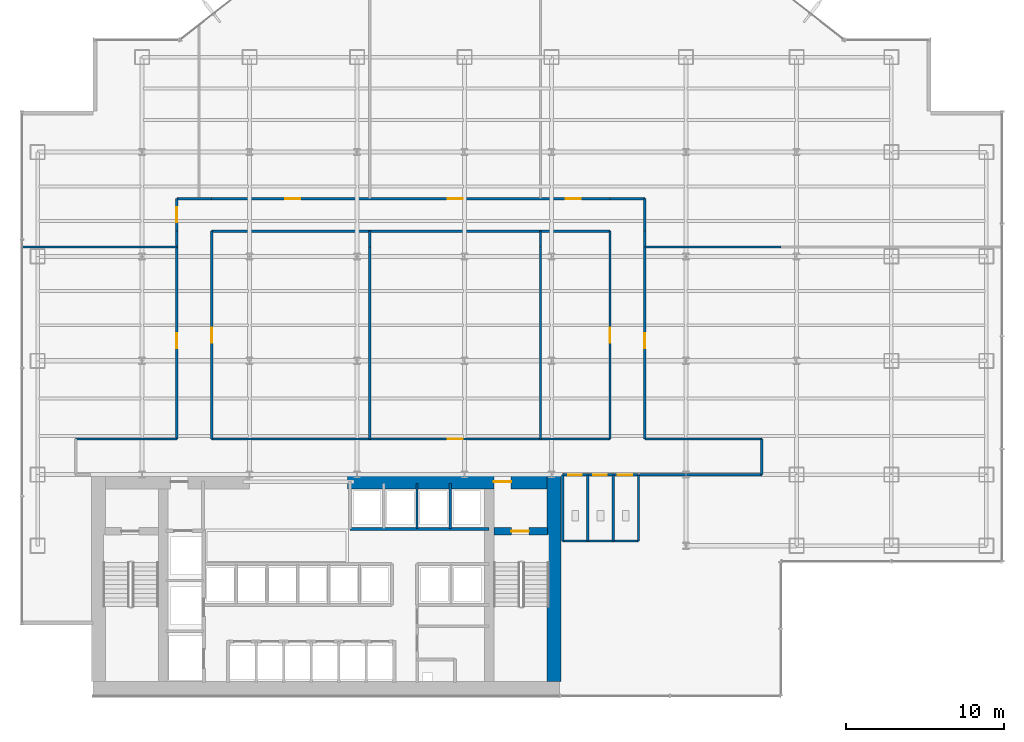
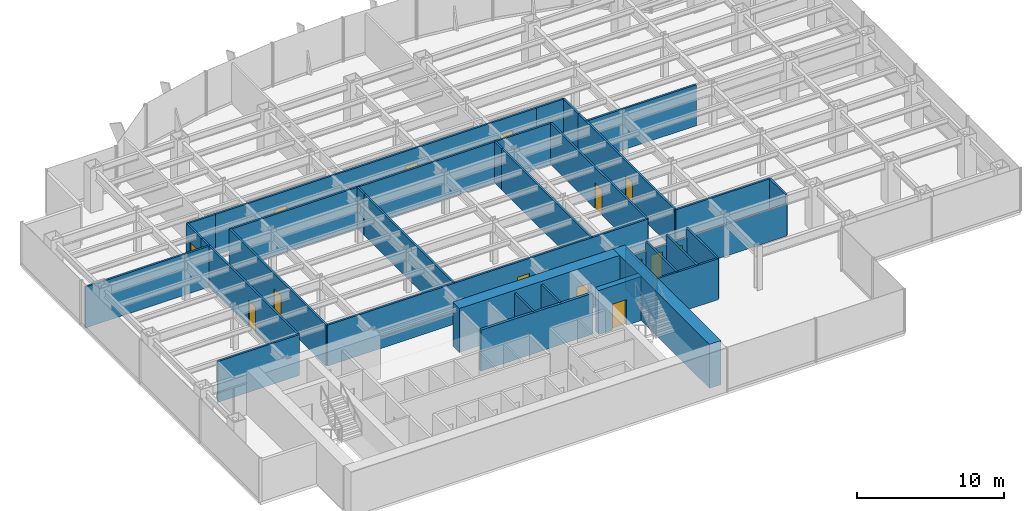
# One storey, part 18 of 22: 33 walls, 14 doors, 14 openings.
"""IFC4 building model written with IfcOpenShell, lengths in metres."""

from ifc_helpers import new_model, si_unit, derived_unit, direction, frame, frame_2d, origin, place, context, subcontext, project, spatial, rectangle, extrude, source, transform, mapped, material, layer, layer_set, type_object, element, fill, save


model = new_model("IFC4")

# Units and contexts
model_context = context("Model", 3, precision=1e-05, world=origin(), true_north=direction((0.0, 1.0)))
body_context = subcontext(model_context, "Body", "Model", "MODEL_VIEW")
ifc_project = project(units=[si_unit("LENGTHUNIT", "METRE"), si_unit("AREAUNIT", "SQUARE_METRE"), si_unit("VOLUMEUNIT", "CUBIC_METRE"), si_unit("PLANEANGLEUNIT", "RADIAN"), si_unit("MASSUNIT", "GRAM", prefix="KILO"), derived_unit("THERMALTRANSMITTANCEUNIT", [(si_unit("POWERUNIT", "WATT"), 1), (si_unit("LENGTHUNIT", "METRE"), -2), (si_unit("THERMODYNAMICTEMPERATUREUNIT", "KELVIN"), -1)])], contexts=[model_context])

# Site, building, storey
site_placement = place(None, origin())
site = spatial("IfcSite", under=ifc_project, at=site_placement, CompositionType="ELEMENT")
building_placement = place(site_placement, origin())
building = spatial("IfcBuilding", under=site, at=building_placement, Name="Skarnbrae Concourse Arena and Tower", CompositionType="ELEMENT")
storey_placement = place(building_placement, frame((0.0, 0.0, 72.64990234375)))
storey = spatial("IfcBuildingStorey", under=building, at=storey_placement, Name="L17", CompositionType="ELEMENT", Elevation=72.64990234375)

# Wall
ifc_material_1 = material(Name="Concrete 70 MPa (C70/85)", Category="concrete")
ifc_layer_1 = layer(ifc_material_1, 0.89990234375)
ifc_layer_set_1 = layer_set([ifc_layer_1], Name="Concrete 70 MPa (C70/85)")
wall_type_1 = type_object("IfcWallType", Name="WALL-CORE-900-C70", PredefinedType="SHEAR", material=ifc_layer_set_1)
shared_shape_1 = source(origin(), body_context, "Body", "SweptSolid", [
    extrude(rectangle(XDim=13.10009765625, YDim=0.89990234375, at=frame_2d((6.550048828125, 0.0))), origin(), (0.0, 0.0, 1.0), 3.650146484375),
])
wall_1_placement = place(storey_placement, frame((33.64990234375, 0.89990234375, 0.0), z_axis=(0.0, 0.0, 1.0), x_axis=(0.0, 1.0, 0.0)))
element("IfcWall", 1, at=wall_1_placement, inside=storey, type_object=wall_type_1, Name="L17 Rear core shear wall CW-E", PredefinedType="SHEAR", context=body_context, shape_type="MappedRepresentation", body=[
    mapped(shared_shape_1, transform((0.0, 0.0, 0.0))),
])

# Wall, opening, door
shared_shape_2 = source(origin(), body_context, "Body", "SweptSolid", [
    extrude(rectangle(XDim=12.599853515625, YDim=0.89990234375, at=frame_2d((6.2998046875, 0.0))), origin(), (0.0, 0.0, 1.0), 3.650146484375),
])
wall_2_placement = place(storey_placement, frame((20.60009765625, 13.550048828125, 0.0), z_axis=(0.0, 0.0, 1.0), x_axis=(1.0, 0.0, 0.0)))
wall_2 = element("IfcWall", 2, at=wall_2_placement, inside=storey, type_object=wall_type_1, Name="L17 Rear core shear wall CW-NE", PredefinedType="SHEAR", context=body_context, shape_type="MappedRepresentation", body=[
    mapped(shared_shape_2, transform((0.0, 0.0, 0.0))),
])
opening_1_placement = place(wall_2_placement, frame((9.25, 0.0, 0.0)))
opening_1 = element("IfcOpeningElement", 3, at=opening_1_placement, cuts=wall_2, Name="Opening DT-03", PredefinedType="OPENING", context=body_context, shape_type="SweptSolid", body=[
    extrude(rectangle(XDim=1.10009765625, YDim=2.14990234375, at=frame_2d((0.550048828125, 1.074951171875))), frame((0.0, 0.4599609375, 0.0), z_axis=(0.0, -1.0, 0.0), x_axis=(1.0, 0.0, 0.0)), (0.0, 0.0, 1.0), 0.919921875),
])
ifc_material_2 = material(Name="Steel CSA G40.21 350W", Category="steel")
door_type_1 = type_object("IfcDoorType", Name="DOOR-FIRE-1100-90M", OperationType="NOTDEFINED", PredefinedType="DOOR", material=ifc_material_2)
shared_shape_3 = source(origin(), body_context, "Body", "SweptSolid", [
    extrude(rectangle(XDim=1.10009765625, YDim=2.14990234375, at=frame_2d((0.550048828125, 1.074951171875))), frame((0.0, 0.02490234375, 0.0), z_axis=(0.0, -1.0, 0.0), x_axis=(1.0, 0.0, 0.0)), (0.0, 0.0, 1.0), 0.050048828125),
])
door_1_placement = place(opening_1_placement, origin())
door_1 = element("IfcDoor", 4, at=door_1_placement, inside=storey, type_object=door_type_1, Name="D-0634 Stair ST-2 Vestibule Door", OperationType="SINGLE_SWING_LEFT", OverallHeight=2.14990234375, OverallWidth=1.10009765625, PredefinedType="DOOR", context=body_context, shape_type="MappedRepresentation", body=[
    mapped(shared_shape_3, transform((0.0, 0.0, 0.0))),
])
fill(opening_1, door_1)

ifc_material_3 = material(Name="Concrete 50 MPa (C50/60)", Category="concrete")
ifc_layer_2 = layer(ifc_material_3, 0.449951171875)
ifc_layer_set_2 = layer_set([ifc_layer_2], Name="Concrete 50 MPa (C50/60)")
wall_type_2 = type_object("IfcWallType", Name="WALL-CORE-450-C50", PredefinedType="SHEAR", material=ifc_layer_set_2)
shared_shape_4 = source(origin(), body_context, "Body", "SweptSolid", [
    extrude(rectangle(XDim=3.389892578125, YDim=0.449951171875, at=frame_2d((1.69482421875, 0.0))), origin(), (0.0, 0.0, 1.0), 3.650146484375),
])
wall_3_placement = place(storey_placement, frame((29.860107421875, 10.419921875, 0.0), z_axis=(0.0, 0.0, 1.0), x_axis=(1.0, 0.0, 0.0)))
wall_3 = element("IfcWall", 5, at=wall_3_placement, inside=storey, type_object=wall_type_2, Name="L17 Rear core shear wall CW-ST2-N", PredefinedType="SHEAR", context=body_context, shape_type="MappedRepresentation", body=[
    mapped(shared_shape_4, transform((0.0, 0.0, 0.0))),
])
opening_2_placement = place(wall_3_placement, frame((1.10009765625, 0.0, 0.0)))
opening_2 = element("IfcOpeningElement", 6, at=opening_2_placement, cuts=wall_3, Name="Opening DT-03", PredefinedType="OPENING", context=body_context, shape_type="SweptSolid", body=[
    extrude(rectangle(XDim=1.10009765625, YDim=2.14990234375, at=frame_2d((0.550048828125, 1.074951171875))), frame((0.0, 0.23486328125, 0.0), z_axis=(0.0, -1.0, 0.0), x_axis=(1.0, 0.0, 0.0)), (0.0, 0.0, 1.0), 0.469970703125),
])
door_2_placement = place(opening_2_placement, frame((1.10009765625, 0.0, 0.0), z_axis=(0.0, 0.0, 1.0), x_axis=(-1.0, 0.0, 0.0)))
door_2 = element("IfcDoor", 7, at=door_2_placement, inside=storey, type_object=door_type_1, Name="D-0632 Stair ST-2 Door", OperationType="SINGLE_SWING_RIGHT", OverallHeight=2.14990234375, OverallWidth=1.10009765625, PredefinedType="DOOR", context=body_context, shape_type="MappedRepresentation", body=[
    mapped(shared_shape_3, transform((0.0, 0.0, 0.0))),
])
fill(opening_2, door_2)

# Wall, openings, doors
ifc_material_4 = material(Name="Gypsum board on cold-formed steel studs", Category="steel")
ifc_layer_3 = layer(ifc_material_4, 0.14990234375)
ifc_layer_set_3 = layer_set([ifc_layer_3], Name="Gypsum board on cold-formed steel studs")
wall_type_3 = type_object("IfcWallType", Name="WALL-PART-150", PredefinedType="PARTITIONING", material=ifc_layer_set_3)
shared_shape_5 = source(origin(), body_context, "Body", "SweptSolid", [
    extrude(rectangle(XDim=4.800048828125, YDim=0.14990234375, at=frame_2d((2.39990234375, 0.0))), origin(), (0.0, 0.0, 1.0), 2.625),
])
wall_4_placement = place(storey_placement, frame((34.199951171875, 13.97998046875, 0.0), z_axis=(0.0, 0.0, 1.0), x_axis=(1.0, 0.0, 0.0)))
wall_4 = element("IfcWall", 8, at=wall_4_placement, inside=storey, type_object=wall_type_3, Name="L17 Interior partition wall W-L17-WC-N", PredefinedType="PARTITIONING", context=body_context, shape_type="MappedRepresentation", body=[
    mapped(shared_shape_5, transform((0.0, 0.0, 0.0))),
])
opening_3_placement = place(wall_4_placement, frame((0.35009765625, 0.0, 0.0)))
opening_3 = element("IfcOpeningElement", 9, at=opening_3_placement, cuts=wall_4, Name="Opening DT-06", PredefinedType="OPENING", context=body_context, shape_type="SweptSolid", body=[
    extrude(rectangle(XDim=0.85009765625, YDim=2.10009765625, at=frame_2d((0.425048828125, 1.050048828125))), frame((0.0, 0.0849609375, 0.0), z_axis=(0.0, -1.0, 0.0), x_axis=(1.0, 0.0, 0.0)), (0.0, 0.0, 1.0), 0.169921875),
])
opening_4_placement = place(wall_4_placement, frame((1.949951171875, 0.0, 0.0)))
opening_4 = element("IfcOpeningElement", 10, at=opening_4_placement, cuts=wall_4, Name="Opening DT-06", PredefinedType="OPENING", context=body_context, shape_type="SweptSolid", body=[
    extrude(rectangle(XDim=0.85009765625, YDim=2.10009765625, at=frame_2d((0.425048828125, 1.050048828125))), frame((0.0, 0.0849609375, 0.0), z_axis=(0.0, -1.0, 0.0), x_axis=(1.0, 0.0, 0.0)), (0.0, 0.0, 1.0), 0.169921875),
])
opening_5_placement = place(wall_4_placement, frame((3.5, 0.0, 0.0)))
opening_5 = element("IfcOpeningElement", 11, at=opening_5_placement, cuts=wall_4, Name="Opening DT-05", PredefinedType="OPENING", context=body_context, shape_type="SweptSolid", body=[
    extrude(rectangle(XDim=0.89990234375, YDim=2.10009765625, at=frame_2d((0.449951171875, 1.050048828125))), frame((0.0, 0.0849609375, 0.0), z_axis=(0.0, -1.0, 0.0), x_axis=(1.0, 0.0, 0.0)), (0.0, 0.0, 1.0), 0.169921875),
])
ifc_material_5 = material(Name="Architectural oak veneer timber leaf", Category="wood")
door_type_2 = type_object("IfcDoorType", Name="DOOR-INT-850", OperationType="NOTDEFINED", PredefinedType="DOOR", material=ifc_material_5)
shared_shape_6 = source(origin(), body_context, "Body", "SweptSolid", [
    extrude(rectangle(XDim=0.85009765625, YDim=2.10009765625, at=frame_2d((0.425048828125, 1.050048828125))), frame((0.0, 0.02490234375, 0.0), z_axis=(0.0, -1.0, 0.0), x_axis=(1.0, 0.0, 0.0)), (0.0, 0.0, 1.0), 0.050048828125),
])
door_3_placement = place(opening_3_placement, frame((0.85009765625, 0.0, 0.0), z_axis=(0.0, 0.0, 1.0), x_axis=(-1.0, 0.0, 0.0)))
door_3 = element("IfcDoor", 12, at=door_3_placement, inside=storey, type_object=door_type_2, Name="D-0646 Male Washroom Door", OperationType="SINGLE_SWING_LEFT", OverallHeight=2.10009765625, OverallWidth=0.85009765625, PredefinedType="DOOR", context=body_context, shape_type="MappedRepresentation", body=[
    mapped(shared_shape_6, transform((0.0, 0.0, 0.0))),
])
fill(opening_3, door_3)
door_4_placement = place(opening_4_placement, frame((0.85009765625, 0.0, 0.0), z_axis=(0.0, 0.0, 1.0), x_axis=(-1.0, 0.0, 0.0)))
door_4 = element("IfcDoor", 13, at=door_4_placement, inside=storey, type_object=door_type_2, Name="D-0647 Female Washroom Door", OperationType="SINGLE_SWING_RIGHT", OverallHeight=2.10009765625, OverallWidth=0.85009765625, PredefinedType="DOOR", context=body_context, shape_type="MappedRepresentation", body=[
    mapped(shared_shape_6, transform((0.0, 0.0, 0.0))),
])
fill(opening_4, door_4)
door_type_3 = type_object("IfcDoorType", Name="DOOR-INT-900", OperationType="NOTDEFINED", PredefinedType="DOOR", material=ifc_material_5)
shared_shape_7 = source(origin(), body_context, "Body", "SweptSolid", [
    extrude(rectangle(XDim=0.89990234375, YDim=2.10009765625, at=frame_2d((0.449951171875, 1.050048828125))), frame((0.0, 0.02490234375, 0.0), z_axis=(0.0, -1.0, 0.0), x_axis=(1.0, 0.0, 0.0)), (0.0, 0.0, 1.0), 0.050048828125),
])
door_5_placement = place(opening_5_placement, frame((0.89990234375, 0.0, 0.0), z_axis=(0.0, 0.0, 1.0), x_axis=(-1.0, 0.0, 0.0)))
door_5 = element("IfcDoor", 14, at=door_5_placement, inside=storey, type_object=door_type_3, Name="D-0648 Accessible WC Door", OperationType="SINGLE_SWING_LEFT", OverallHeight=2.10009765625, OverallWidth=0.89990234375, PredefinedType="DOOR", context=body_context, shape_type="MappedRepresentation", body=[
    mapped(shared_shape_7, transform((0.0, 0.0, 0.0))),
])
fill(opening_5, door_5)

# Walls
ifc_layer_4 = layer(ifc_material_4, 0.14990234375)
ifc_layer_set_4 = layer_set([ifc_layer_4], Name="Gypsum board on cold-formed steel studs")
wall_type_4 = type_object("IfcWallType", Name="WALL-PART-150-1HR", PredefinedType="PARTITIONING", material=ifc_layer_set_4)
shared_shape_8 = source(origin(), body_context, "Body", "SweptSolid", [
    extrude(rectangle(XDim=7.75, YDim=0.14990234375, at=frame_2d((3.875, 0.0))), origin(), (0.0, 0.0, 1.0), 2.625),
])
wall_5_placement = place(storey_placement, frame((46.800048828125, 14.0, 0.0), z_axis=(0.0, 0.0, 1.0), x_axis=(-1.0, 0.0, 0.0)))
element("IfcWall", 15, at=wall_5_placement, inside=storey, type_object=wall_type_4, Name="L17 Interior partition wall W-L17-COR-13", PredefinedType="PARTITIONING", context=body_context, shape_type="MappedRepresentation", body=[
    mapped(shared_shape_8, transform((0.0, 0.0, 0.0))),
])
ifc_layer_5 = layer(ifc_material_4, 0.199951171875)
ifc_layer_set_5 = layer_set([ifc_layer_5], Name="Gypsum board on cold-formed steel studs")
wall_type_5 = type_object("IfcWallType", Name="WALL-PART-200-2HR", PredefinedType="PARTITIONING", material=ifc_layer_set_5)
shared_shape_9 = source(origin(), body_context, "Body", "SweptSolid", [
    extrude(rectangle(XDim=8.800048828125, YDim=0.199951171875, at=frame_2d((4.39990234375, 0.0))), origin(), (0.0, 0.0, 1.0), 3.400146484375),
])
wall_6_placement = place(storey_placement, frame((20.75, 10.550048828125, 0.0), z_axis=(0.0, 0.0, 1.0), x_axis=(1.0, 0.0, 0.0)))
element("IfcWall", 16, at=wall_6_placement, inside=storey, type_object=wall_type_5, Name="L17 Interior partition wall W-L17-B3N-S", PredefinedType="PARTITIONING", context=body_context, shape_type="MappedRepresentation", body=[
    mapped(shared_shape_9, transform((0.0, 0.0, 0.0))),
])
shared_shape_10 = source(origin(), body_context, "Body", "SweptSolid", [
    extrude(rectangle(XDim=2.849853515625, YDim=0.14990234375, at=frame_2d((1.4248046875, 0.0))), origin(), (0.0, 0.0, 1.0), 3.400146484375),
])
for number, where, z_axis, x_axis, name in (
    (17, (24.989990234375, 10.60009765625, 0.0), (0.0, 0.0, 1.0), (0.0, 1.0, 0.0), "L17 Interior partition wall W-L17-B3N-P2"),
    (18, (27.090087890625, 10.60009765625, 0.0), (0.0, 0.0, 1.0), (0.0, 1.0, 0.0), "L17 Interior partition wall W-L17-B3N-P3"),
):
    element("IfcWall", number, at=place(storey_placement, frame(where, z_axis=z_axis, x_axis=x_axis)), inside=storey, type_object=wall_type_3, Name=name, PredefinedType="PARTITIONING", context=body_context, shape_type="MappedRepresentation", body=[
        mapped(shared_shape_10, transform((0.0, 0.0, 0.0))),
    ])
shared_shape_11 = source(origin(), body_context, "Body", "SweptSolid", [
    extrude(rectangle(XDim=4.800048828125, YDim=0.14990234375, at=frame_2d((2.39990234375, 0.0))), origin(), (0.0, 0.0, 1.0), 3.400146484375),
])
wall_7_placement = place(storey_placement, frame((34.199951171875, 9.800048828125, 0.0), z_axis=(0.0, 0.0, 1.0), x_axis=(1.0, 0.0, 0.0)))
element("IfcWall", 19, at=wall_7_placement, inside=storey, type_object=wall_type_3, Name="L17 Interior partition wall W-L17-WC-S", PredefinedType="PARTITIONING", context=body_context, shape_type="MappedRepresentation", body=[
    mapped(shared_shape_11, transform((0.0, 0.0, 0.0))),
])
shared_shape_12 = source(origin(), body_context, "Body", "SweptSolid", [
    extrude(rectangle(XDim=4.179931640625, YDim=0.14990234375, at=frame_2d((2.08984375, 0.0))), origin(), (0.0, 0.0, 1.0), 3.400146484375),
])
for number, where, z_axis, x_axis, name in (
    (20, (39.0, 9.800048828125, 0.0), (0.0, 0.0, 1.0), (0.0, 1.0, 0.0), "L17 Interior partition wall W-L17-WC-E"),
    (21, (34.199951171875, 9.800048828125, 0.0), (0.0, 0.0, 1.0), (0.0, 1.0, 0.0), "L17 Interior partition wall W-L17-WC-W"),
    (22, (35.800048828125, 9.800048828125, 0.0), (0.0, 0.0, 1.0), (0.0, 1.0, 0.0), "L17 Interior partition wall W-L17-WC-D1"),
    (23, (37.39990234375, 9.800048828125, 0.0), (0.0, 0.0, 1.0), (0.0, 1.0, 0.0), "L17 Interior partition wall W-L17-WC-D2"),
):
    element("IfcWall", number, at=place(storey_placement, frame(where, z_axis=z_axis, x_axis=x_axis)), inside=storey, type_object=wall_type_3, Name=name, PredefinedType="PARTITIONING", context=body_context, shape_type="MappedRepresentation", body=[
        mapped(shared_shape_12, transform((0.0, 0.0, 0.0))),
    ])
shared_shape_13 = source(origin(), body_context, "Body", "SweptSolid", [
    extrude(rectangle(XDim=2.25, YDim=0.14990234375, at=frame_2d((1.125, 0.0))), origin(), (0.0, 0.0, 1.0), 3.400146484375),
])
wall_8_placement = place(storey_placement, frame((46.800048828125, 16.25, 0.0), z_axis=(0.0, 0.0, 1.0), x_axis=(0.0, -1.0, 0.0)))
element("IfcWall", 24, at=wall_8_placement, inside=storey, type_object=wall_type_4, Name="L17 Interior partition wall W-L17-COR-12", PredefinedType="PARTITIONING", context=body_context, shape_type="MappedRepresentation", body=[
    mapped(shared_shape_13, transform((0.0, 0.0, 0.0))),
])
shared_shape_14 = source(origin(), body_context, "Body", "SweptSolid", [
    extrude(rectangle(XDim=6.400146484375, YDim=0.14990234375, at=frame_2d((3.2001953125, 0.0))), origin(), (0.0, 0.0, 1.0), 3.400146484375),
])
wall_9_placement = place(storey_placement, frame((3.39990234375, 16.25, 0.0), z_axis=(0.0, 0.0, 1.0), x_axis=(1.0, 0.0, 0.0)))
element("IfcWall", 25, at=wall_9_placement, inside=storey, type_object=wall_type_4, Name="L17 Interior partition wall W-L17-COR-03", PredefinedType="PARTITIONING", context=body_context, shape_type="MappedRepresentation", body=[
    mapped(shared_shape_14, transform((0.0, 0.0, 0.0))),
])

# Wall, opening, door
shared_shape_15 = source(origin(), body_context, "Body", "SweptSolid", [
    extrude(rectangle(XDim=13.14990234375, YDim=0.14990234375, at=frame_2d((6.574951171875, 0.0))), origin(), (0.0, 0.0, 1.0), 3.400146484375),
])
wall_10_placement = place(storey_placement, frame((9.800048828125, 16.25, 0.0), z_axis=(0.0, 0.0, 1.0), x_axis=(0.0, 1.0, 0.0)))
wall_10 = element("IfcWall", 26, at=wall_10_placement, inside=storey, type_object=wall_type_4, Name="L17 Interior partition wall W-L17-COR-04", PredefinedType="PARTITIONING", context=body_context, shape_type="MappedRepresentation", body=[
    mapped(shared_shape_15, transform((0.0, 0.0, 0.0))),
])
opening_6_placement = place(wall_10_placement, frame((5.72998046875, 0.0, 0.0)))
opening_6 = element("IfcOpeningElement", 27, at=opening_6_placement, cuts=wall_10, Name="Opening DT-04", PredefinedType="OPENING", context=body_context, shape_type="SweptSolid", body=[
    extrude(rectangle(XDim=0.949951171875, YDim=2.14990234375, at=frame_2d((0.47509765625, 1.074951171875))), frame((0.0, 0.0849609375, 0.0), z_axis=(0.0, -1.0, 0.0), x_axis=(1.0, 0.0, 0.0)), (0.0, 0.0, 1.0), 0.169921875),
])
door_type_4 = type_object("IfcDoorType", Name="DOOR-INT-950-45M", OperationType="NOTDEFINED", PredefinedType="DOOR", material=ifc_material_2)
shared_shape_16 = source(origin(), body_context, "Body", "SweptSolid", [
    extrude(rectangle(XDim=0.949951171875, YDim=2.14990234375, at=frame_2d((0.47509765625, 1.074951171875))), frame((0.0, 0.02490234375, 0.0), z_axis=(0.0, -1.0, 0.0), x_axis=(1.0, 0.0, 0.0)), (0.0, 0.0, 1.0), 0.050048828125),
])
door_6_placement = place(opening_6_placement, origin())
door_6 = element("IfcDoor", 28, at=door_6_placement, inside=storey, type_object=door_type_4, Name="D-0649 L17 Suite Door 01", OperationType="SINGLE_SWING_LEFT", OverallHeight=2.14990234375, OverallWidth=0.949951171875, PredefinedType="DOOR", context=body_context, shape_type="MappedRepresentation", body=[
    mapped(shared_shape_16, transform((0.0, 0.0, 0.0))),
])
fill(opening_6, door_6)

wall_11_placement = place(storey_placement, frame((39.39990234375, 29.39990234375, 0.0), z_axis=(0.0, 0.0, 1.0), x_axis=(0.0, -1.0, 0.0)))
wall_11 = element("IfcWall", 29, at=wall_11_placement, inside=storey, type_object=wall_type_4, Name="L17 Interior partition wall W-L17-COR-10", PredefinedType="PARTITIONING", context=body_context, shape_type="MappedRepresentation", body=[
    mapped(shared_shape_15, transform((0.0, 0.0, 0.0))),
])
opening_7_placement = place(wall_11_placement, frame((6.469970703125, 0.0, 0.0)))
opening_7 = element("IfcOpeningElement", 30, at=opening_7_placement, cuts=wall_11, Name="Opening DT-04", PredefinedType="OPENING", context=body_context, shape_type="SweptSolid", body=[
    extrude(rectangle(XDim=0.949951171875, YDim=2.14990234375, at=frame_2d((0.47509765625, 1.074951171875))), frame((0.0, 0.0849609375, 0.0), z_axis=(0.0, -1.0, 0.0), x_axis=(1.0, 0.0, 0.0)), (0.0, 0.0, 1.0), 0.169921875),
])
door_7_placement = place(opening_7_placement, origin())
door_7 = element("IfcDoor", 31, at=door_7_placement, inside=storey, type_object=door_type_4, Name="D-0657 L17 Suite Door 09", OperationType="SINGLE_SWING_LEFT", OverallHeight=2.14990234375, OverallWidth=0.949951171875, PredefinedType="DOOR", context=body_context, shape_type="MappedRepresentation", body=[
    mapped(shared_shape_16, transform((0.0, 0.0, 0.0))),
])
fill(opening_7, door_7)

wall_12_placement = place(storey_placement, frame((37.199951171875, 16.25, 0.0), z_axis=(0.0, 0.0, 1.0), x_axis=(0.0, 1.0, 0.0)))
wall_12 = element("IfcWall", 32, at=wall_12_placement, inside=storey, type_object=wall_type_4, Name="L17 Interior partition wall W-L17-COR-15", PredefinedType="PARTITIONING", context=body_context, shape_type="MappedRepresentation", body=[
    mapped(shared_shape_15, transform((0.0, 0.0, 0.0))),
])
opening_8_placement = place(wall_12_placement, frame((6.10009765625, 0.0, 0.0)))
opening_8 = element("IfcOpeningElement", 33, at=opening_8_placement, cuts=wall_12, Name="Opening DT-04", PredefinedType="OPENING", context=body_context, shape_type="SweptSolid", body=[
    extrude(rectangle(XDim=0.949951171875, YDim=2.14990234375, at=frame_2d((0.47509765625, 1.074951171875))), frame((0.0, 0.0849609375, 0.0), z_axis=(0.0, -1.0, 0.0), x_axis=(1.0, 0.0, 0.0)), (0.0, 0.0, 1.0), 0.169921875),
])
door_8_placement = place(opening_8_placement, origin())
door_8 = element("IfcDoor", 34, at=door_8_placement, inside=storey, type_object=door_type_4, Name="D-0655 L17 Suite Door 07", OperationType="SINGLE_SWING_LEFT", OverallHeight=2.14990234375, OverallWidth=0.949951171875, PredefinedType="DOOR", context=body_context, shape_type="MappedRepresentation", body=[
    mapped(shared_shape_16, transform((0.0, 0.0, 0.0))),
])
fill(opening_8, door_8)

wall_13_placement = place(storey_placement, frame((12.0, 29.39990234375, 0.0), z_axis=(0.0, 0.0, 1.0), x_axis=(0.0, -1.0, 0.0)))
wall_13 = element("IfcWall", 35, at=wall_13_placement, inside=storey, type_object=wall_type_4, Name="L17 Interior partition wall W-L17-COR-17", PredefinedType="PARTITIONING", context=body_context, shape_type="MappedRepresentation", body=[
    mapped(shared_shape_15, transform((0.0, 0.0, 0.0))),
])
opening_9_placement = place(wall_13_placement, frame((6.10009765625, 0.0, 0.0)))
opening_9 = element("IfcOpeningElement", 36, at=opening_9_placement, cuts=wall_13, Name="Opening DT-04", PredefinedType="OPENING", context=body_context, shape_type="SweptSolid", body=[
    extrude(rectangle(XDim=0.949951171875, YDim=2.14990234375, at=frame_2d((0.47509765625, 1.074951171875))), frame((0.0, 0.0849609375, 0.0), z_axis=(0.0, -1.0, 0.0), x_axis=(1.0, 0.0, 0.0)), (0.0, 0.0, 1.0), 0.169921875),
])
door_9_placement = place(opening_9_placement, origin())
door_9 = element("IfcDoor", 37, at=door_9_placement, inside=storey, type_object=door_type_4, Name="D-0652 L17 Suite Door 04", OperationType="SINGLE_SWING_RIGHT", OverallHeight=2.14990234375, OverallWidth=0.949951171875, PredefinedType="DOOR", context=body_context, shape_type="MappedRepresentation", body=[
    mapped(shared_shape_16, transform((0.0, 0.0, 0.0))),
])
fill(opening_9, door_9)

shared_shape_17 = source(origin(), body_context, "Body", "SweptSolid", [
    extrude(rectangle(XDim=2.050048828125, YDim=0.14990234375, at=frame_2d((1.02490234375, 0.0))), origin(), (0.0, 0.0, 1.0), 3.400146484375),
])
wall_14_placement = place(storey_placement, frame((9.800048828125, 29.39990234375, 0.0), z_axis=(0.0, 0.0, 1.0), x_axis=(0.0, 1.0, 0.0)))
wall_14 = element("IfcWall", 38, at=wall_14_placement, inside=storey, type_object=wall_type_4, Name="L17 Interior partition wall W-L17-COR-05", PredefinedType="PARTITIONING", context=body_context, shape_type="MappedRepresentation", body=[
    mapped(shared_shape_17, transform((0.0, 0.0, 0.0))),
])
opening_10_placement = place(wall_14_placement, frame((0.550048828125, 0.0, 0.0)))
opening_10 = element("IfcOpeningElement", 39, at=opening_10_placement, cuts=wall_14, Name="Opening DT-04", PredefinedType="OPENING", context=body_context, shape_type="SweptSolid", body=[
    extrude(rectangle(XDim=0.949951171875, YDim=2.14990234375, at=frame_2d((0.47509765625, 1.074951171875))), frame((0.0, 0.0849609375, 0.0), z_axis=(0.0, -1.0, 0.0), x_axis=(1.0, 0.0, 0.0)), (0.0, 0.0, 1.0), 0.169921875),
])
door_10_placement = place(opening_10_placement, origin())
door_10 = element("IfcDoor", 40, at=door_10_placement, inside=storey, type_object=door_type_4, Name="D-0650 L17 Suite Door 02", OperationType="SINGLE_SWING_RIGHT", OverallHeight=2.14990234375, OverallWidth=0.949951171875, PredefinedType="DOOR", context=body_context, shape_type="MappedRepresentation", body=[
    mapped(shared_shape_16, transform((0.0, 0.0, 0.0))),
])
fill(opening_10, door_10)

# Walls
wall_15_placement = place(storey_placement, frame((39.39990234375, 31.449951171875, 0.0), z_axis=(0.0, 0.0, 1.0), x_axis=(0.0, -1.0, 0.0)))
element("IfcWall", 41, at=wall_15_placement, inside=storey, type_object=wall_type_4, Name="L17 Interior partition wall W-L17-COR-09", PredefinedType="PARTITIONING", context=body_context, shape_type="MappedRepresentation", body=[
    mapped(shared_shape_17, transform((0.0, 0.0, 0.0))),
])
shared_shape_18 = source(origin(), body_context, "Body", "SweptSolid", [
    extrude(rectangle(XDim=2.199951171875, YDim=0.14990234375, at=frame_2d((1.10009765625, 0.0))), origin(), (0.0, 0.0, 1.0), 3.400146484375),
])
for number, where, z_axis, x_axis, name in (
    (42, (9.800048828125, 31.449951171875, 0.0), (0.0, 0.0, 1.0), (1.0, 0.0, 0.0), "L17 Interior partition wall W-L17-COR-06"),
    (43, (37.199951171875, 31.449951171875, 0.0), (0.0, 0.0, 1.0), (1.0, 0.0, 0.0), "L17 Interior partition wall W-L17-COR-08"),
):
    element("IfcWall", number, at=place(storey_placement, frame(where, z_axis=z_axis, x_axis=x_axis)), inside=storey, type_object=wall_type_4, Name=name, PredefinedType="PARTITIONING", context=body_context, shape_type="MappedRepresentation", body=[
        mapped(shared_shape_18, transform((0.0, 0.0, 0.0))),
    ])

# Wall, openings, doors
shared_shape_19 = source(origin(), body_context, "Body", "SweptSolid", [
    extrude(rectangle(XDim=25.199951171875, YDim=0.14990234375, at=frame_2d((12.60009765625, 0.0))), origin(), (0.0, 0.0, 1.0), 3.400146484375),
])
wall_16_placement = place(storey_placement, frame((12.0, 31.449951171875, 0.0), z_axis=(0.0, 0.0, 1.0), x_axis=(1.0, 0.0, 0.0)))
wall_16 = element("IfcWall", 44, at=wall_16_placement, inside=storey, type_object=wall_type_4, Name="L17 Interior partition wall W-L17-COR-07", PredefinedType="PARTITIONING", context=body_context, shape_type="MappedRepresentation", body=[
    mapped(shared_shape_19, transform((0.0, 0.0, 0.0))),
])
opening_11_placement = place(wall_16_placement, frame((4.655029296875, 0.0, 0.0)))
opening_11 = element("IfcOpeningElement", 45, at=opening_11_placement, cuts=wall_16, Name="Opening DT-04", PredefinedType="OPENING", context=body_context, shape_type="SweptSolid", body=[
    extrude(rectangle(XDim=0.949951171875, YDim=2.14990234375, at=frame_2d((0.47509765625, 1.074951171875))), frame((0.0, 0.0849609375, 0.0), z_axis=(0.0, -1.0, 0.0), x_axis=(1.0, 0.0, 0.0)), (0.0, 0.0, 1.0), 0.169921875),
])
opening_12_placement = place(wall_16_placement, frame((14.925048828125, 0.0, 0.0)))
opening_12 = element("IfcOpeningElement", 46, at=opening_12_placement, cuts=wall_16, Name="Opening DT-04", PredefinedType="OPENING", context=body_context, shape_type="SweptSolid", body=[
    extrude(rectangle(XDim=0.949951171875, YDim=2.14990234375, at=frame_2d((0.47509765625, 1.074951171875))), frame((0.0, 0.0849609375, 0.0), z_axis=(0.0, -1.0, 0.0), x_axis=(1.0, 0.0, 0.0)), (0.0, 0.0, 1.0), 0.169921875),
])
opening_13_placement = place(wall_16_placement, frame((22.39501953125, 0.0, 0.0)))
opening_13 = element("IfcOpeningElement", 47, at=opening_13_placement, cuts=wall_16, Name="Opening DT-04", PredefinedType="OPENING", context=body_context, shape_type="SweptSolid", body=[
    extrude(rectangle(XDim=0.949951171875, YDim=2.14990234375, at=frame_2d((0.47509765625, 1.074951171875))), frame((0.0, 0.0849609375, 0.0), z_axis=(0.0, -1.0, 0.0), x_axis=(1.0, 0.0, 0.0)), (0.0, 0.0, 1.0), 0.169921875),
])
door_11_placement = place(opening_11_placement, origin())
door_11 = element("IfcDoor", 48, at=door_11_placement, inside=storey, type_object=door_type_4, Name="D-0651 L17 Suite Door 03", OperationType="SINGLE_SWING_LEFT", OverallHeight=2.14990234375, OverallWidth=0.949951171875, PredefinedType="DOOR", context=body_context, shape_type="MappedRepresentation", body=[
    mapped(shared_shape_16, transform((0.0, 0.0, 0.0))),
])
fill(opening_11, door_11)
door_12_placement = place(opening_12_placement, origin())
door_12 = element("IfcDoor", 49, at=door_12_placement, inside=storey, type_object=door_type_4, Name="D-0654 L17 Suite Door 06", OperationType="SINGLE_SWING_RIGHT", OverallHeight=2.14990234375, OverallWidth=0.949951171875, PredefinedType="DOOR", context=body_context, shape_type="MappedRepresentation", body=[
    mapped(shared_shape_16, transform((0.0, 0.0, 0.0))),
])
fill(opening_12, door_12)
door_13_placement = place(opening_13_placement, origin())
door_13 = element("IfcDoor", 50, at=door_13_placement, inside=storey, type_object=door_type_4, Name="D-0656 L17 Suite Door 08", OperationType="SINGLE_SWING_RIGHT", OverallHeight=2.14990234375, OverallWidth=0.949951171875, PredefinedType="DOOR", context=body_context, shape_type="MappedRepresentation", body=[
    mapped(shared_shape_16, transform((0.0, 0.0, 0.0))),
])
fill(opening_13, door_13)

# Wall, opening, door
wall_17_placement = place(storey_placement, frame((12.0, 16.25, 0.0), z_axis=(0.0, 0.0, 1.0), x_axis=(1.0, 0.0, 0.0)))
wall_17 = element("IfcWall", 51, at=wall_17_placement, inside=storey, type_object=wall_type_4, Name="L17 Interior partition wall W-L17-COR-14", PredefinedType="PARTITIONING", context=body_context, shape_type="MappedRepresentation", body=[
    mapped(shared_shape_19, transform((0.0, 0.0, 0.0))),
])
opening_14_placement = place(wall_17_placement, frame((14.925048828125, 0.0, 0.0)))
opening_14 = element("IfcOpeningElement", 52, at=opening_14_placement, cuts=wall_17, Name="Opening DT-04", PredefinedType="OPENING", context=body_context, shape_type="SweptSolid", body=[
    extrude(rectangle(XDim=0.949951171875, YDim=2.14990234375, at=frame_2d((0.47509765625, 1.074951171875))), frame((0.0, 0.0849609375, 0.0), z_axis=(0.0, -1.0, 0.0), x_axis=(1.0, 0.0, 0.0)), (0.0, 0.0, 1.0), 0.169921875),
])
door_14_placement = place(opening_14_placement, origin())
door_14 = element("IfcDoor", 53, at=door_14_placement, inside=storey, type_object=door_type_4, Name="D-0653 L17 Suite Door 05", OperationType="SINGLE_SWING_LEFT", OverallHeight=2.14990234375, OverallWidth=0.949951171875, PredefinedType="DOOR", context=body_context, shape_type="MappedRepresentation", body=[
    mapped(shared_shape_16, transform((0.0, 0.0, 0.0))),
])
fill(opening_14, door_14)

# Walls
wall_18_placement = place(storey_placement, frame((37.199951171875, 29.39990234375, 0.0), z_axis=(0.0, 0.0, 1.0), x_axis=(-1.0, 0.0, 0.0)))
element("IfcWall", 54, at=wall_18_placement, inside=storey, type_object=wall_type_4, Name="L17 Interior partition wall W-L17-COR-16", PredefinedType="PARTITIONING", context=body_context, shape_type="MappedRepresentation", body=[
    mapped(shared_shape_19, transform((0.0, 0.0, 0.0))),
])
shared_shape_20 = source(origin(), body_context, "Body", "SweptSolid", [
    extrude(rectangle(XDim=7.400146484375, YDim=0.14990234375, at=frame_2d((3.7001953125, 0.0))), origin(), (0.0, 0.0, 1.0), 3.400146484375),
])
wall_19_placement = place(storey_placement, frame((39.39990234375, 16.25, 0.0), z_axis=(0.0, 0.0, 1.0), x_axis=(1.0, 0.0, 0.0)))
element("IfcWall", 55, at=wall_19_placement, inside=storey, type_object=wall_type_4, Name="L17 Interior partition wall W-L17-COR-11", PredefinedType="PARTITIONING", context=body_context, shape_type="MappedRepresentation", body=[
    mapped(shared_shape_20, transform((0.0, 0.0, 0.0))),
])
shared_shape_21 = source(origin(), body_context, "Body", "SweptSolid", [
    extrude(rectangle(XDim=9.780029296875, YDim=0.14990234375, at=frame_2d((4.89013671875, 0.0))), origin(), (0.0, 0.0, 1.0), 3.400146484375),
])
wall_20_placement = place(storey_placement, frame((0.02001953125, 28.39990234375, 0.0), z_axis=(0.0, 0.0, 1.0), x_axis=(1.0, 0.0, 0.0)))
element("IfcWall", 56, at=wall_20_placement, inside=storey, type_object=wall_type_3, Name="L17 Interior partition wall W-L17-DEM-18", PredefinedType="PARTITIONING", context=body_context, shape_type="MappedRepresentation", body=[
    mapped(shared_shape_21, transform((0.0, 0.0, 0.0))),
])
shared_shape_22 = source(origin(), body_context, "Body", "SweptSolid", [
    extrude(rectangle(XDim=1.0, YDim=0.14990234375, at=frame_2d((0.5, 0.0))), origin(), (0.0, 0.0, 1.0), 3.400146484375),
])
for number, where, z_axis, x_axis, name in (
    (57, (22.0, 29.39990234375, 0.0), (0.0, 0.0, 1.0), (0.0, -1.0, 0.0), "L17 Interior partition wall W-L17-DEM-20"),
    (58, (32.800048828125, 29.39990234375, 0.0), (0.0, 0.0, 1.0), (0.0, -1.0, 0.0), "L17 Interior partition wall W-L17-DEM-23"),
):
    element("IfcWall", number, at=place(storey_placement, frame(where, z_axis=z_axis, x_axis=x_axis)), inside=storey, type_object=wall_type_3, Name=name, PredefinedType="PARTITIONING", context=body_context, shape_type="MappedRepresentation", body=[
        mapped(shared_shape_22, transform((0.0, 0.0, 0.0))),
    ])
shared_shape_23 = source(origin(), body_context, "Body", "SweptSolid", [
    extrude(rectangle(XDim=12.14990234375, YDim=0.14990234375, at=frame_2d((6.074951171875, 0.0))), origin(), (0.0, 0.0, 1.0), 3.400146484375),
])
for number, where, z_axis, x_axis, name in (
    (59, (22.0, 28.39990234375, 0.0), (0.0, 0.0, 1.0), (0.0, -1.0, 0.0), "L17 Interior partition wall W-L17-DEM-21"),
    (60, (32.800048828125, 28.39990234375, 0.0), (0.0, 0.0, 1.0), (0.0, -1.0, 0.0), "L17 Interior partition wall W-L17-DEM-24"),
):
    element("IfcWall", number, at=place(storey_placement, frame(where, z_axis=z_axis, x_axis=x_axis)), inside=storey, type_object=wall_type_3, Name=name, PredefinedType="PARTITIONING", context=body_context, shape_type="MappedRepresentation", body=[
        mapped(shared_shape_23, transform((0.0, 0.0, 0.0))),
    ])
shared_shape_24 = source(origin(), body_context, "Body", "SweptSolid", [
    extrude(rectangle(XDim=8.60009765625, YDim=0.14990234375, at=frame_2d((4.300048828125, 0.0))), origin(), (0.0, 0.0, 1.0), 3.400146484375),
])
wall_21_placement = place(storey_placement, frame((48.0, 28.39990234375, 0.0), z_axis=(0.0, 0.0, 1.0), x_axis=(-1.0, 0.0, 0.0)))
element("IfcWall", 61, at=wall_21_placement, inside=storey, type_object=wall_type_3, Name="L17 Interior partition wall W-L17-DEM-27", PredefinedType="PARTITIONING", context=body_context, shape_type="MappedRepresentation", body=[
    mapped(shared_shape_24, transform((0.0, 0.0, 0.0))),
])

save(model, "model.ifc")
